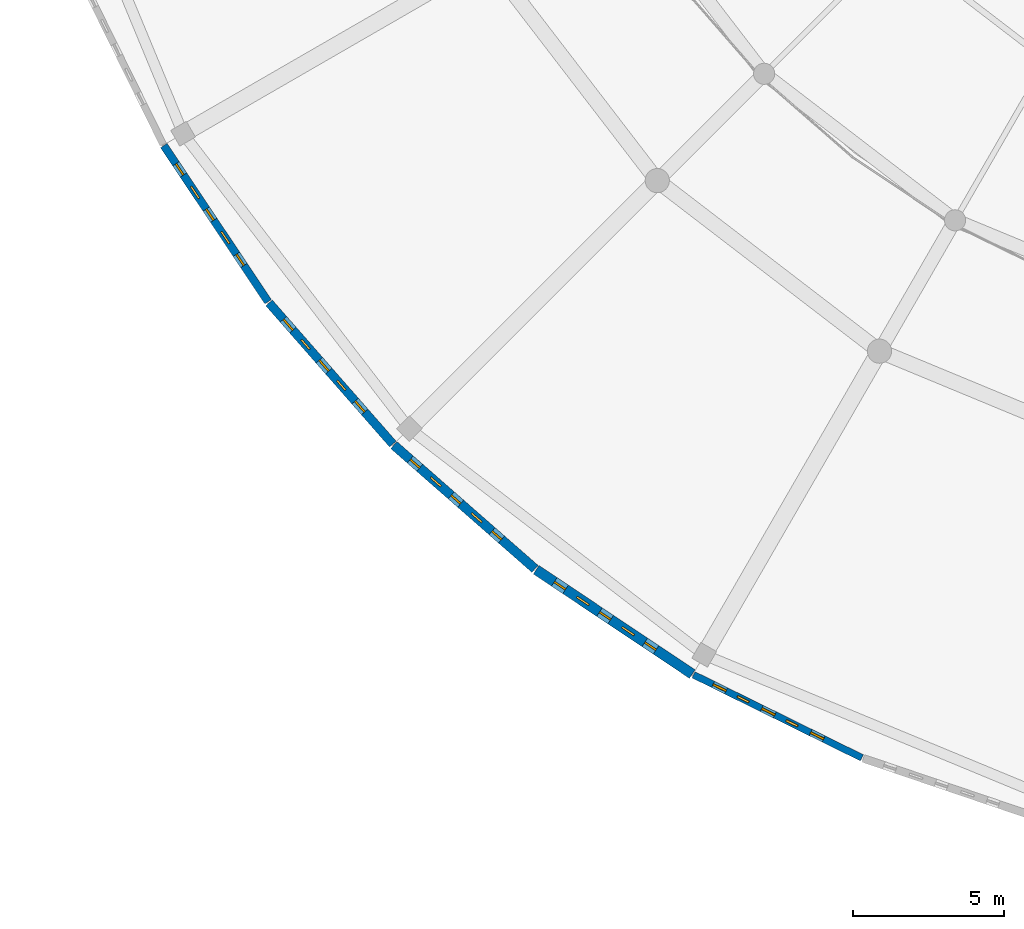
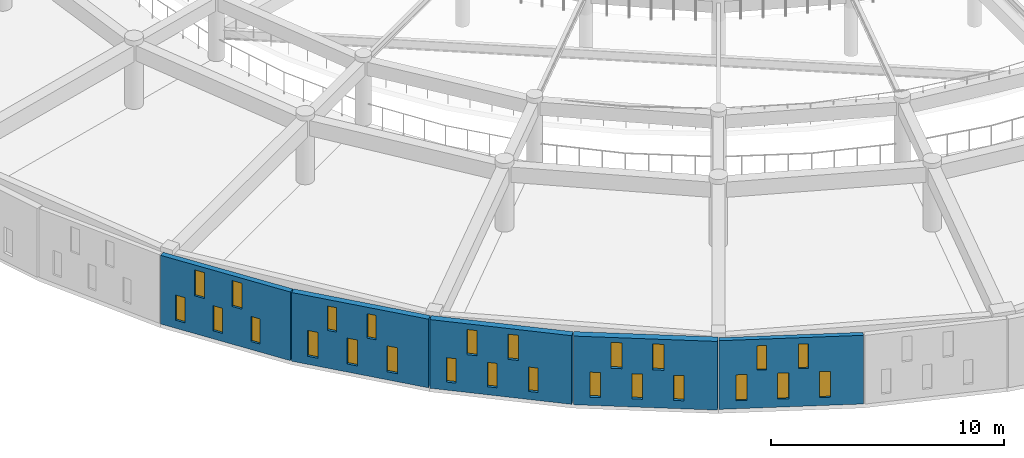
# One storey, part 104 of 155: 25 windows, 5 walls, 25 openings.
"""IFC4 building model written with IfcOpenShell, lengths in metres."""

from ifc_helpers import new_model, si_unit, direction, frame, frame_2d, origin, place, context, subcontext, project, spatial, rectangle, extrude, material, layer, layer_set, type_object, element, fill, save


model = new_model("IFC4")

# Units and contexts
model_context = context("Model", 3, precision=1e-05, world=origin(), true_north=direction((0.0, 1.0)))
body_context = subcontext(model_context, "Body", "Model", "MODEL_VIEW")
ifc_project = project(units=[si_unit("LENGTHUNIT", "METRE"), si_unit("AREAUNIT", "SQUARE_METRE"), si_unit("VOLUMEUNIT", "CUBIC_METRE"), si_unit("PLANEANGLEUNIT", "RADIAN"), si_unit("MASSUNIT", "GRAM", prefix="KILO")], contexts=[model_context])

# Site, building, storey
site_placement = place(None, origin())
site = spatial("IfcSite", under=ifc_project, at=site_placement, CompositionType="ELEMENT")
building_placement = place(site_placement, origin())
building = spatial("IfcBuilding", under=site, at=building_placement, Name="Larkveld Mobility Hub", CompositionType="ELEMENT")
storey_placement = place(building_placement, frame((0.0, 0.0, 8.39990234375)))
storey = spatial("IfcBuildingStorey", under=building, at=storey_placement, Name="L02", CompositionType="ELEMENT", Elevation=8.39990234375)

# Wall, openings, windows
ifc_material_1 = material(Name="Fired clay brick 25 MPa", Category="masonry")
ifc_layer_1 = layer(ifc_material_1, 0.22998046875, Name="Fired clay brick 25 MPa", Category="masonry")
ifc_layer_set_1 = layer_set([ifc_layer_1], Name="Fired clay brick 25 MPa")
wall_type_1 = type_object("IfcWallType", Name="WL-BRK-230", PredefinedType="USERDEFINED", material=ifc_layer_set_1)
wall_1_placement = place(storey_placement, frame((24.096923828125, 6.550048828125, 0.0), z_axis=(0.0, 0.0, 1.0), x_axis=(0.896858908126, -0.442316740488, 0.0)))
wall_1 = element("IfcWall", 1, at=wall_1_placement, inside=storey, type_object=wall_type_1, Name="Drum Woven Open-Bond Brick Chord L02-0123", ObjectType="PERFORATED BRICK SCREEN", PredefinedType="USERDEFINED", context=body_context, shape_type="SweptSolid", body=[
    extrude(rectangle(XDim=6.210693359375, YDim=0.22998046875, at=frame_2d((3.10546875, 0.0))), origin(), (0.0, 0.0, 1.0), 3.60009765625),
])
opening_1_placement = place(wall_1_placement, frame((0.719970703125, 0.0, 0.419921875)))
opening_1 = element("IfcOpeningElement", 2, at=opening_1_placement, cuts=wall_1, Name="Opening W03", PredefinedType="OPENING", context=body_context, shape_type="SweptSolid", body=[
    extrude(rectangle(XDim=0.47998046875, YDim=1.360107421875, at=frame_2d((0.239990234375, 0.68017578125))), frame((0.0, 0.125, 0.0), z_axis=(0.0, -1.0, 0.0), x_axis=(1.0, 0.0, 0.0)), (0.0, 0.0, 1.0), 0.25),
])
opening_2_placement = place(wall_1_placement, frame((2.52001953125, 0.0, 0.419921875)))
opening_2 = element("IfcOpeningElement", 3, at=opening_2_placement, cuts=wall_1, Name="Opening W03", PredefinedType="OPENING", context=body_context, shape_type="SweptSolid", body=[
    extrude(rectangle(XDim=0.47998046875, YDim=1.360107421875, at=frame_2d((0.239990234375, 0.68017578125))), frame((0.0, 0.125, 0.0), z_axis=(0.0, -1.0, 0.0), x_axis=(1.0, 0.0, 0.0)), (0.0, 0.0, 1.0), 0.25),
])
opening_3_placement = place(wall_1_placement, frame((4.320068359375, 0.0, 0.419921875)))
opening_3 = element("IfcOpeningElement", 4, at=opening_3_placement, cuts=wall_1, Name="Opening W03", PredefinedType="OPENING", context=body_context, shape_type="SweptSolid", body=[
    extrude(rectangle(XDim=0.47998046875, YDim=1.360107421875, at=frame_2d((0.239990234375, 0.68017578125))), frame((0.0, 0.125, 0.0), z_axis=(0.0, -1.0, 0.0), x_axis=(1.0, 0.0, 0.0)), (0.0, 0.0, 1.0), 0.25),
])
opening_4_placement = place(wall_1_placement, frame((1.6201171875, 0.0, 1.97998046875)))
opening_4 = element("IfcOpeningElement", 5, at=opening_4_placement, cuts=wall_1, Name="Opening W01", PredefinedType="OPENING", context=body_context, shape_type="SweptSolid", body=[
    extrude(rectangle(XDim=0.419921875, YDim=1.280029296875, at=frame_2d((0.2099609375, 0.64013671875))), frame((0.0, 0.125, 0.0), z_axis=(0.0, -1.0, 0.0), x_axis=(1.0, 0.0, 0.0)), (0.0, 0.0, 1.0), 0.25),
])
opening_5_placement = place(wall_1_placement, frame((3.419921875, 0.0, 1.97998046875)))
opening_5 = element("IfcOpeningElement", 6, at=opening_5_placement, cuts=wall_1, Name="Opening W01", PredefinedType="OPENING", context=body_context, shape_type="SweptSolid", body=[
    extrude(rectangle(XDim=0.419921875, YDim=1.280029296875, at=frame_2d((0.2099609375, 0.64013671875))), frame((0.0, 0.125, 0.0), z_axis=(0.0, -1.0, 0.0), x_axis=(1.0, 0.0, 0.0)), (0.0, 0.0, 1.0), 0.25),
])
ifc_material_2 = material(Name="Extruded aluminium ventilation grille", Category="aluminium")
window_type_1 = type_object("IfcWindowType", Name="WN-VENT-01", PartitioningType="SINGLE_PANEL", PredefinedType="WINDOW", material=ifc_material_2)
window_1_placement = place(opening_4_placement, origin())
window_1 = element("IfcWindow", 7, at=window_1_placement, inside=storey, type_object=window_type_1, Name="Window W01 (0604)", OverallHeight=1.280029296875, OverallWidth=0.419921875, PartitioningType="SINGLE_PANEL", PredefinedType="WINDOW", context=body_context, shape_type="SweptSolid", body=[
    extrude(rectangle(XDim=0.419921875, YDim=1.280029296875, at=frame_2d((0.2099609375, 0.64013671875))), frame((0.0, 0.030029296875, 0.0), z_axis=(0.0, -1.0, 0.0), x_axis=(1.0, 0.0, 0.0)), (0.0, 0.0, 1.0), 0.06005859375),
])
fill(opening_4, window_1)
window_2_placement = place(opening_5_placement, origin())
window_2 = element("IfcWindow", 8, at=window_2_placement, inside=storey, type_object=window_type_1, Name="Window W01 (0605)", OverallHeight=1.280029296875, OverallWidth=0.419921875, PartitioningType="SINGLE_PANEL", PredefinedType="WINDOW", context=body_context, shape_type="SweptSolid", body=[
    extrude(rectangle(XDim=0.419921875, YDim=1.280029296875, at=frame_2d((0.2099609375, 0.64013671875))), frame((0.0, 0.030029296875, 0.0), z_axis=(0.0, -1.0, 0.0), x_axis=(1.0, 0.0, 0.0)), (0.0, 0.0, 1.0), 0.06005859375),
])
fill(opening_5, window_2)
window_type_2 = type_object("IfcWindowType", Name="WN-VENT-03", PartitioningType="SINGLE_PANEL", PredefinedType="WINDOW", material=ifc_material_2)
window_3_placement = place(opening_1_placement, origin())
window_3 = element("IfcWindow", 9, at=window_3_placement, inside=storey, type_object=window_type_2, Name="Window W03 (0601)", OverallHeight=1.360107421875, OverallWidth=0.47998046875, PartitioningType="SINGLE_PANEL", PredefinedType="WINDOW", context=body_context, shape_type="SweptSolid", body=[
    extrude(rectangle(XDim=0.47998046875, YDim=1.360107421875, at=frame_2d((0.239990234375, 0.68017578125))), frame((0.0, 0.030029296875, 0.0), z_axis=(0.0, -1.0, 0.0), x_axis=(1.0, 0.0, 0.0)), (0.0, 0.0, 1.0), 0.06005859375),
])
fill(opening_1, window_3)
window_4_placement = place(opening_2_placement, origin())
window_4 = element("IfcWindow", 10, at=window_4_placement, inside=storey, type_object=window_type_2, Name="Window W03 (0602)", OverallHeight=1.360107421875, OverallWidth=0.47998046875, PartitioningType="SINGLE_PANEL", PredefinedType="WINDOW", context=body_context, shape_type="SweptSolid", body=[
    extrude(rectangle(XDim=0.47998046875, YDim=1.360107421875, at=frame_2d((0.239990234375, 0.68017578125))), frame((0.0, 0.030029296875, 0.0), z_axis=(0.0, -1.0, 0.0), x_axis=(1.0, 0.0, 0.0)), (0.0, 0.0, 1.0), 0.06005859375),
])
fill(opening_2, window_4)
window_5_placement = place(opening_3_placement, origin())
window_5 = element("IfcWindow", 11, at=window_5_placement, inside=storey, type_object=window_type_2, Name="Window W03 (0603)", OverallHeight=1.360107421875, OverallWidth=0.47998046875, PartitioningType="SINGLE_PANEL", PredefinedType="WINDOW", context=body_context, shape_type="SweptSolid", body=[
    extrude(rectangle(XDim=0.47998046875, YDim=1.360107421875, at=frame_2d((0.239990234375, 0.68017578125))), frame((0.0, 0.030029296875, 0.0), z_axis=(0.0, -1.0, 0.0), x_axis=(1.0, 0.0, 0.0)), (0.0, 0.0, 1.0), 0.06005859375),
])
fill(opening_3, window_5)

ifc_layer_2 = layer(ifc_material_1, 0.260009765625, Name="Fired clay brick 25 MPa", Category="masonry")
ifc_layer_set_2 = layer_set([ifc_layer_2], Name="Fired clay brick 25 MPa")
wall_type_2 = type_object("IfcWallType", Name="WL-BRK-260", PredefinedType="USERDEFINED", material=ifc_layer_set_2)
wall_2_placement = place(storey_placement, frame((6.573974609375, 24.054931640625, 0.0), z_axis=(0.0, 0.0, 1.0), x_axis=(0.555634193664, -0.831426871608, 0.0)))
wall_2 = element("IfcWall", 12, at=wall_2_placement, inside=storey, type_object=wall_type_2, Name="Drum Woven Open-Bond Brick Chord L02-0119", ObjectType="PERFORATED BRICK SCREEN", PredefinedType="USERDEFINED", context=body_context, shape_type="SweptSolid", body=[
    extrude(rectangle(XDim=6.210693359375, YDim=0.260009765625, at=frame_2d((3.10546875, 0.0))), origin(), (0.0, 0.0, 1.0), 3.60009765625),
])
opening_6_placement = place(wall_2_placement, frame((0.719970703125, 0.0, 0.419921875)))
opening_6 = element("IfcOpeningElement", 13, at=opening_6_placement, cuts=wall_2, Name="Opening W02", PredefinedType="OPENING", context=body_context, shape_type="SweptSolid", body=[
    extrude(rectangle(XDim=0.449951171875, YDim=1.320068359375, at=frame_2d((0.22509765625, 0.66015625))), frame((0.0, 0.14013671875, 0.0), z_axis=(0.0, -1.0, 0.0), x_axis=(1.0, 0.0, 0.0)), (0.0, 0.0, 1.0), 0.280029296875),
])
opening_7_placement = place(wall_2_placement, frame((2.52001953125, 0.0, 0.419921875)))
opening_7 = element("IfcOpeningElement", 14, at=opening_7_placement, cuts=wall_2, Name="Opening W02", PredefinedType="OPENING", context=body_context, shape_type="SweptSolid", body=[
    extrude(rectangle(XDim=0.449951171875, YDim=1.320068359375, at=frame_2d((0.22509765625, 0.66015625))), frame((0.0, 0.14013671875, 0.0), z_axis=(0.0, -1.0, 0.0), x_axis=(1.0, 0.0, 0.0)), (0.0, 0.0, 1.0), 0.280029296875),
])
opening_8_placement = place(wall_2_placement, frame((4.320068359375, 0.0, 0.419921875)))
opening_8 = element("IfcOpeningElement", 15, at=opening_8_placement, cuts=wall_2, Name="Opening W02", PredefinedType="OPENING", context=body_context, shape_type="SweptSolid", body=[
    extrude(rectangle(XDim=0.449951171875, YDim=1.320068359375, at=frame_2d((0.22509765625, 0.66015625))), frame((0.0, 0.14013671875, 0.0), z_axis=(0.0, -1.0, 0.0), x_axis=(1.0, 0.0, 0.0)), (0.0, 0.0, 1.0), 0.280029296875),
])
opening_9_placement = place(wall_2_placement, frame((1.6201171875, 0.0, 1.97998046875)))
opening_9 = element("IfcOpeningElement", 16, at=opening_9_placement, cuts=wall_2, Name="Opening W03", PredefinedType="OPENING", context=body_context, shape_type="SweptSolid", body=[
    extrude(rectangle(XDim=0.47998046875, YDim=1.360107421875, at=frame_2d((0.239990234375, 0.68017578125))), frame((0.0, 0.14013671875, 0.0), z_axis=(0.0, -1.0, 0.0), x_axis=(1.0, 0.0, 0.0)), (0.0, 0.0, 1.0), 0.280029296875),
])
opening_10_placement = place(wall_2_placement, frame((3.419921875, 0.0, 1.97998046875)))
opening_10 = element("IfcOpeningElement", 17, at=opening_10_placement, cuts=wall_2, Name="Opening W03", PredefinedType="OPENING", context=body_context, shape_type="SweptSolid", body=[
    extrude(rectangle(XDim=0.47998046875, YDim=1.360107421875, at=frame_2d((0.239990234375, 0.68017578125))), frame((0.0, 0.14013671875, 0.0), z_axis=(0.0, -1.0, 0.0), x_axis=(1.0, 0.0, 0.0)), (0.0, 0.0, 1.0), 0.280029296875),
])
window_type_3 = type_object("IfcWindowType", Name="WN-VENT-02", PartitioningType="SINGLE_PANEL", PredefinedType="WINDOW", material=ifc_material_2)
window_6_placement = place(opening_6_placement, origin())
window_6 = element("IfcWindow", 18, at=window_6_placement, inside=storey, type_object=window_type_3, Name="Window W02 (0581)", OverallHeight=1.320068359375, OverallWidth=0.449951171875, PartitioningType="SINGLE_PANEL", PredefinedType="WINDOW", context=body_context, shape_type="SweptSolid", body=[
    extrude(rectangle(XDim=0.449951171875, YDim=1.320068359375, at=frame_2d((0.22509765625, 0.66015625))), frame((0.0, 0.030029296875, 0.0), z_axis=(0.0, -1.0, 0.0), x_axis=(1.0, 0.0, 0.0)), (0.0, 0.0, 1.0), 0.06005859375),
])
fill(opening_6, window_6)
window_7_placement = place(opening_7_placement, origin())
window_7 = element("IfcWindow", 19, at=window_7_placement, inside=storey, type_object=window_type_3, Name="Window W02 (0582)", OverallHeight=1.320068359375, OverallWidth=0.449951171875, PartitioningType="SINGLE_PANEL", PredefinedType="WINDOW", context=body_context, shape_type="SweptSolid", body=[
    extrude(rectangle(XDim=0.449951171875, YDim=1.320068359375, at=frame_2d((0.22509765625, 0.66015625))), frame((0.0, 0.030029296875, 0.0), z_axis=(0.0, -1.0, 0.0), x_axis=(1.0, 0.0, 0.0)), (0.0, 0.0, 1.0), 0.06005859375),
])
fill(opening_7, window_7)
window_8_placement = place(opening_8_placement, origin())
window_8 = element("IfcWindow", 20, at=window_8_placement, inside=storey, type_object=window_type_3, Name="Window W02 (0583)", OverallHeight=1.320068359375, OverallWidth=0.449951171875, PartitioningType="SINGLE_PANEL", PredefinedType="WINDOW", context=body_context, shape_type="SweptSolid", body=[
    extrude(rectangle(XDim=0.449951171875, YDim=1.320068359375, at=frame_2d((0.22509765625, 0.66015625))), frame((0.0, 0.030029296875, 0.0), z_axis=(0.0, -1.0, 0.0), x_axis=(1.0, 0.0, 0.0)), (0.0, 0.0, 1.0), 0.06005859375),
])
fill(opening_8, window_8)
window_9_placement = place(opening_9_placement, origin())
window_9 = element("IfcWindow", 21, at=window_9_placement, inside=storey, type_object=window_type_2, Name="Window W03 (0584)", OverallHeight=1.360107421875, OverallWidth=0.47998046875, PartitioningType="SINGLE_PANEL", PredefinedType="WINDOW", context=body_context, shape_type="SweptSolid", body=[
    extrude(rectangle(XDim=0.47998046875, YDim=1.360107421875, at=frame_2d((0.239990234375, 0.68017578125))), frame((0.0, 0.030029296875, 0.0), z_axis=(0.0, -1.0, 0.0), x_axis=(1.0, 0.0, 0.0)), (0.0, 0.0, 1.0), 0.06005859375),
])
fill(opening_9, window_9)
window_10_placement = place(opening_10_placement, origin())
window_10 = element("IfcWindow", 22, at=window_10_placement, inside=storey, type_object=window_type_2, Name="Window W03 (0585)", OverallHeight=1.360107421875, OverallWidth=0.47998046875, PartitioningType="SINGLE_PANEL", PredefinedType="WINDOW", context=body_context, shape_type="SweptSolid", body=[
    extrude(rectangle(XDim=0.47998046875, YDim=1.360107421875, at=frame_2d((0.239990234375, 0.68017578125))), frame((0.0, 0.030029296875, 0.0), z_axis=(0.0, -1.0, 0.0), x_axis=(1.0, 0.0, 0.0)), (0.0, 0.0, 1.0), 0.06005859375),
])
fill(opening_10, window_10)

ifc_layer_3 = layer(ifc_material_1, 0.2900390625, Name="Fired clay brick 25 MPa", Category="masonry")
ifc_layer_set_3 = layer_set([ifc_layer_3], Name="Fired clay brick 25 MPa")
wall_type_3 = type_object("IfcWallType", Name="WL-BRK-290", PredefinedType="USERDEFINED", material=ifc_layer_set_3)
wall_3_placement = place(storey_placement, frame((10.053955078125, 18.85302734375, 0.0), z_axis=(0.0, 0.0, 1.0), x_axis=(0.65930569124, -0.751874993266, 0.0)))
wall_3 = element("IfcWall", 23, at=wall_3_placement, inside=storey, type_object=wall_type_3, Name="Drum Woven Open-Bond Brick Chord L02-0120", ObjectType="PERFORATED BRICK SCREEN", PredefinedType="USERDEFINED", context=body_context, shape_type="SweptSolid", body=[
    extrude(rectangle(XDim=6.2109375, YDim=0.2900390625, at=frame_2d((3.10546875, 0.0))), origin(), (0.0, 0.0, 1.0), 3.60009765625),
])
opening_11_placement = place(wall_3_placement, frame((0.719970703125, 0.0, 0.419921875)))
opening_11 = element("IfcOpeningElement", 24, at=opening_11_placement, cuts=wall_3, Name="Opening W03", PredefinedType="OPENING", context=body_context, shape_type="SweptSolid", body=[
    extrude(rectangle(XDim=0.47998046875, YDim=1.360107421875, at=frame_2d((0.239990234375, 0.68017578125))), frame((0.0, 0.155029296875, 0.0), z_axis=(0.0, -1.0, 0.0), x_axis=(1.0, 0.0, 0.0)), (0.0, 0.0, 1.0), 0.31005859375),
])
opening_12_placement = place(wall_3_placement, frame((2.52001953125, 0.0, 0.419921875)))
opening_12 = element("IfcOpeningElement", 25, at=opening_12_placement, cuts=wall_3, Name="Opening W03", PredefinedType="OPENING", context=body_context, shape_type="SweptSolid", body=[
    extrude(rectangle(XDim=0.47998046875, YDim=1.360107421875, at=frame_2d((0.239990234375, 0.68017578125))), frame((0.0, 0.155029296875, 0.0), z_axis=(0.0, -1.0, 0.0), x_axis=(1.0, 0.0, 0.0)), (0.0, 0.0, 1.0), 0.31005859375),
])
opening_13_placement = place(wall_3_placement, frame((4.320068359375, 0.0, 0.419921875)))
opening_13 = element("IfcOpeningElement", 26, at=opening_13_placement, cuts=wall_3, Name="Opening W03", PredefinedType="OPENING", context=body_context, shape_type="SweptSolid", body=[
    extrude(rectangle(XDim=0.47998046875, YDim=1.360107421875, at=frame_2d((0.239990234375, 0.68017578125))), frame((0.0, 0.155029296875, 0.0), z_axis=(0.0, -1.0, 0.0), x_axis=(1.0, 0.0, 0.0)), (0.0, 0.0, 1.0), 0.31005859375),
])
opening_14_placement = place(wall_3_placement, frame((1.6201171875, 0.0, 1.97998046875)))
opening_14 = element("IfcOpeningElement", 27, at=opening_14_placement, cuts=wall_3, Name="Opening W01", PredefinedType="OPENING", context=body_context, shape_type="SweptSolid", body=[
    extrude(rectangle(XDim=0.419921875, YDim=1.280029296875, at=frame_2d((0.2099609375, 0.64013671875))), frame((0.0, 0.155029296875, 0.0), z_axis=(0.0, -1.0, 0.0), x_axis=(1.0, 0.0, 0.0)), (0.0, 0.0, 1.0), 0.31005859375),
])
opening_15_placement = place(wall_3_placement, frame((3.419921875, 0.0, 1.97998046875)))
opening_15 = element("IfcOpeningElement", 28, at=opening_15_placement, cuts=wall_3, Name="Opening W01", PredefinedType="OPENING", context=body_context, shape_type="SweptSolid", body=[
    extrude(rectangle(XDim=0.419921875, YDim=1.280029296875, at=frame_2d((0.2099609375, 0.64013671875))), frame((0.0, 0.155029296875, 0.0), z_axis=(0.0, -1.0, 0.0), x_axis=(1.0, 0.0, 0.0)), (0.0, 0.0, 1.0), 0.31005859375),
])
window_11_placement = place(opening_14_placement, origin())
window_11 = element("IfcWindow", 29, at=window_11_placement, inside=storey, type_object=window_type_1, Name="Window W01 (0589)", OverallHeight=1.280029296875, OverallWidth=0.419921875, PartitioningType="SINGLE_PANEL", PredefinedType="WINDOW", context=body_context, shape_type="SweptSolid", body=[
    extrude(rectangle(XDim=0.419921875, YDim=1.280029296875, at=frame_2d((0.2099609375, 0.64013671875))), frame((0.0, 0.030029296875, 0.0), z_axis=(0.0, -1.0, 0.0), x_axis=(1.0, 0.0, 0.0)), (0.0, 0.0, 1.0), 0.06005859375),
])
fill(opening_14, window_11)
window_12_placement = place(opening_15_placement, origin())
window_12 = element("IfcWindow", 30, at=window_12_placement, inside=storey, type_object=window_type_1, Name="Window W01 (0590)", OverallHeight=1.280029296875, OverallWidth=0.419921875, PartitioningType="SINGLE_PANEL", PredefinedType="WINDOW", context=body_context, shape_type="SweptSolid", body=[
    extrude(rectangle(XDim=0.419921875, YDim=1.280029296875, at=frame_2d((0.2099609375, 0.64013671875))), frame((0.0, 0.030029296875, 0.0), z_axis=(0.0, -1.0, 0.0), x_axis=(1.0, 0.0, 0.0)), (0.0, 0.0, 1.0), 0.06005859375),
])
fill(opening_15, window_12)
window_13_placement = place(opening_11_placement, origin())
window_13 = element("IfcWindow", 31, at=window_13_placement, inside=storey, type_object=window_type_2, Name="Window W03 (0586)", OverallHeight=1.360107421875, OverallWidth=0.47998046875, PartitioningType="SINGLE_PANEL", PredefinedType="WINDOW", context=body_context, shape_type="SweptSolid", body=[
    extrude(rectangle(XDim=0.47998046875, YDim=1.360107421875, at=frame_2d((0.239990234375, 0.68017578125))), frame((0.0, 0.030029296875, 0.0), z_axis=(0.0, -1.0, 0.0), x_axis=(1.0, 0.0, 0.0)), (0.0, 0.0, 1.0), 0.06005859375),
])
fill(opening_11, window_13)
window_14_placement = place(opening_12_placement, origin())
window_14 = element("IfcWindow", 32, at=window_14_placement, inside=storey, type_object=window_type_2, Name="Window W03 (0587)", OverallHeight=1.360107421875, OverallWidth=0.47998046875, PartitioningType="SINGLE_PANEL", PredefinedType="WINDOW", context=body_context, shape_type="SweptSolid", body=[
    extrude(rectangle(XDim=0.47998046875, YDim=1.360107421875, at=frame_2d((0.239990234375, 0.68017578125))), frame((0.0, 0.030029296875, 0.0), z_axis=(0.0, -1.0, 0.0), x_axis=(1.0, 0.0, 0.0)), (0.0, 0.0, 1.0), 0.06005859375),
])
fill(opening_12, window_14)
window_15_placement = place(opening_13_placement, origin())
window_15 = element("IfcWindow", 33, at=window_15_placement, inside=storey, type_object=window_type_2, Name="Window W03 (0588)", OverallHeight=1.360107421875, OverallWidth=0.47998046875, PartitioningType="SINGLE_PANEL", PredefinedType="WINDOW", context=body_context, shape_type="SweptSolid", body=[
    extrude(rectangle(XDim=0.47998046875, YDim=1.360107421875, at=frame_2d((0.239990234375, 0.68017578125))), frame((0.0, 0.030029296875, 0.0), z_axis=(0.0, -1.0, 0.0), x_axis=(1.0, 0.0, 0.0)), (0.0, 0.0, 1.0), 0.06005859375),
])
fill(opening_13, window_15)

ifc_layer_4 = layer(ifc_material_1, 0.31005859375, Name="Fired clay brick 25 MPa", Category="masonry")
ifc_layer_set_4 = layer_set([ifc_layer_4], Name="Fired clay brick 25 MPa")
wall_type_4 = type_object("IfcWallType", Name="WL-BRK-310", PredefinedType="USERDEFINED", material=ifc_layer_set_4)
wall_4_placement = place(storey_placement, frame((14.18310546875, 14.14892578125, 0.0), z_axis=(0.0, 0.0, 1.0), x_axis=(0.751874993266, -0.65930569124, 0.0)))
wall_4 = element("IfcWall", 34, at=wall_4_placement, inside=storey, type_object=wall_type_4, Name="Drum Woven Open-Bond Brick Chord L02-0121", ObjectType="PERFORATED BRICK SCREEN", PredefinedType="USERDEFINED", context=body_context, shape_type="SweptSolid", body=[
    extrude(rectangle(XDim=6.2109375, YDim=0.31005859375, at=frame_2d((3.10546875, 0.0))), origin(), (0.0, 0.0, 1.0), 3.60009765625),
])
opening_16_placement = place(wall_4_placement, frame((0.719970703125, 0.0, 0.419921875)))
opening_16 = element("IfcOpeningElement", 35, at=opening_16_placement, cuts=wall_4, Name="Opening W01", PredefinedType="OPENING", context=body_context, shape_type="SweptSolid", body=[
    extrude(rectangle(XDim=0.419921875, YDim=1.280029296875, at=frame_2d((0.2099609375, 0.64013671875))), frame((0.0, 0.1650390625, 0.0), z_axis=(0.0, -1.0, 0.0), x_axis=(1.0, 0.0, 0.0)), (0.0, 0.0, 1.0), 0.330078125),
])
opening_17_placement = place(wall_4_placement, frame((2.52001953125, 0.0, 0.419921875)))
opening_17 = element("IfcOpeningElement", 36, at=opening_17_placement, cuts=wall_4, Name="Opening W01", PredefinedType="OPENING", context=body_context, shape_type="SweptSolid", body=[
    extrude(rectangle(XDim=0.419921875, YDim=1.280029296875, at=frame_2d((0.2099609375, 0.64013671875))), frame((0.0, 0.1650390625, 0.0), z_axis=(0.0, -1.0, 0.0), x_axis=(1.0, 0.0, 0.0)), (0.0, 0.0, 1.0), 0.330078125),
])
opening_18_placement = place(wall_4_placement, frame((4.320068359375, 0.0, 0.419921875)))
opening_18 = element("IfcOpeningElement", 37, at=opening_18_placement, cuts=wall_4, Name="Opening W01", PredefinedType="OPENING", context=body_context, shape_type="SweptSolid", body=[
    extrude(rectangle(XDim=0.419921875, YDim=1.280029296875, at=frame_2d((0.2099609375, 0.64013671875))), frame((0.0, 0.1650390625, 0.0), z_axis=(0.0, -1.0, 0.0), x_axis=(1.0, 0.0, 0.0)), (0.0, 0.0, 1.0), 0.330078125),
])
opening_19_placement = place(wall_4_placement, frame((1.6201171875, 0.0, 1.97998046875)))
opening_19 = element("IfcOpeningElement", 38, at=opening_19_placement, cuts=wall_4, Name="Opening W02", PredefinedType="OPENING", context=body_context, shape_type="SweptSolid", body=[
    extrude(rectangle(XDim=0.449951171875, YDim=1.320068359375, at=frame_2d((0.22509765625, 0.66015625))), frame((0.0, 0.1650390625, 0.0), z_axis=(0.0, -1.0, 0.0), x_axis=(1.0, 0.0, 0.0)), (0.0, 0.0, 1.0), 0.330078125),
])
opening_20_placement = place(wall_4_placement, frame((3.419921875, 0.0, 1.97998046875)))
opening_20 = element("IfcOpeningElement", 39, at=opening_20_placement, cuts=wall_4, Name="Opening W02", PredefinedType="OPENING", context=body_context, shape_type="SweptSolid", body=[
    extrude(rectangle(XDim=0.449951171875, YDim=1.320068359375, at=frame_2d((0.22509765625, 0.66015625))), frame((0.0, 0.1650390625, 0.0), z_axis=(0.0, -1.0, 0.0), x_axis=(1.0, 0.0, 0.0)), (0.0, 0.0, 1.0), 0.330078125),
])
window_16_placement = place(opening_16_placement, origin())
window_16 = element("IfcWindow", 40, at=window_16_placement, inside=storey, type_object=window_type_1, Name="Window W01 (0591)", OverallHeight=1.280029296875, OverallWidth=0.419921875, PartitioningType="SINGLE_PANEL", PredefinedType="WINDOW", context=body_context, shape_type="SweptSolid", body=[
    extrude(rectangle(XDim=0.419921875, YDim=1.280029296875, at=frame_2d((0.2099609375, 0.64013671875))), frame((0.0, 0.030029296875, 0.0), z_axis=(0.0, -1.0, 0.0), x_axis=(1.0, 0.0, 0.0)), (0.0, 0.0, 1.0), 0.06005859375),
])
fill(opening_16, window_16)
window_17_placement = place(opening_17_placement, origin())
window_17 = element("IfcWindow", 41, at=window_17_placement, inside=storey, type_object=window_type_1, Name="Window W01 (0592)", OverallHeight=1.280029296875, OverallWidth=0.419921875, PartitioningType="SINGLE_PANEL", PredefinedType="WINDOW", context=body_context, shape_type="SweptSolid", body=[
    extrude(rectangle(XDim=0.419921875, YDim=1.280029296875, at=frame_2d((0.2099609375, 0.64013671875))), frame((0.0, 0.030029296875, 0.0), z_axis=(0.0, -1.0, 0.0), x_axis=(1.0, 0.0, 0.0)), (0.0, 0.0, 1.0), 0.06005859375),
])
fill(opening_17, window_17)
window_18_placement = place(opening_18_placement, origin())
window_18 = element("IfcWindow", 42, at=window_18_placement, inside=storey, type_object=window_type_1, Name="Window W01 (0593)", OverallHeight=1.280029296875, OverallWidth=0.419921875, PartitioningType="SINGLE_PANEL", PredefinedType="WINDOW", context=body_context, shape_type="SweptSolid", body=[
    extrude(rectangle(XDim=0.419921875, YDim=1.280029296875, at=frame_2d((0.2099609375, 0.64013671875))), frame((0.0, 0.030029296875, 0.0), z_axis=(0.0, -1.0, 0.0), x_axis=(1.0, 0.0, 0.0)), (0.0, 0.0, 1.0), 0.06005859375),
])
fill(opening_18, window_18)
window_19_placement = place(opening_19_placement, origin())
window_19 = element("IfcWindow", 43, at=window_19_placement, inside=storey, type_object=window_type_3, Name="Window W02 (0594)", OverallHeight=1.320068359375, OverallWidth=0.449951171875, PartitioningType="SINGLE_PANEL", PredefinedType="WINDOW", context=body_context, shape_type="SweptSolid", body=[
    extrude(rectangle(XDim=0.449951171875, YDim=1.320068359375, at=frame_2d((0.22509765625, 0.66015625))), frame((0.0, 0.030029296875, 0.0), z_axis=(0.0, -1.0, 0.0), x_axis=(1.0, 0.0, 0.0)), (0.0, 0.0, 1.0), 0.06005859375),
])
fill(opening_19, window_19)
window_20_placement = place(opening_20_placement, origin())
window_20 = element("IfcWindow", 44, at=window_20_placement, inside=storey, type_object=window_type_3, Name="Window W02 (0595)", OverallHeight=1.320068359375, OverallWidth=0.449951171875, PartitioningType="SINGLE_PANEL", PredefinedType="WINDOW", context=body_context, shape_type="SweptSolid", body=[
    extrude(rectangle(XDim=0.449951171875, YDim=1.320068359375, at=frame_2d((0.22509765625, 0.66015625))), frame((0.0, 0.030029296875, 0.0), z_axis=(0.0, -1.0, 0.0), x_axis=(1.0, 0.0, 0.0)), (0.0, 0.0, 1.0), 0.06005859375),
])
fill(opening_20, window_20)

ifc_layer_5 = layer(ifc_material_1, 0.340087890625, Name="Fired clay brick 25 MPa", Category="masonry")
ifc_layer_set_5 = layer_set([ifc_layer_5], Name="Fired clay brick 25 MPa")
wall_type_5 = type_object("IfcWallType", Name="WL-BRK-340", PredefinedType="USERDEFINED", material=ifc_layer_set_5)
wall_5_placement = place(storey_placement, frame((18.89111328125, 10.02490234375, 0.0), z_axis=(0.0, 0.0, 1.0), x_axis=(0.831426871608, -0.555634193664, 0.0)))
wall_5 = element("IfcWall", 45, at=wall_5_placement, inside=storey, type_object=wall_type_5, Name="Drum Woven Open-Bond Brick Chord L02-0122", ObjectType="PERFORATED BRICK SCREEN", PredefinedType="USERDEFINED", context=body_context, shape_type="SweptSolid", body=[
    extrude(rectangle(XDim=6.210693359375, YDim=0.340087890625, at=frame_2d((3.10546875, 0.0))), origin(), (0.0, 0.0, 1.0), 3.60009765625),
])
opening_21_placement = place(wall_5_placement, frame((0.719970703125, 0.0, 0.419921875)))
opening_21 = element("IfcOpeningElement", 46, at=opening_21_placement, cuts=wall_5, Name="Opening W02", PredefinedType="OPENING", context=body_context, shape_type="SweptSolid", body=[
    extrude(rectangle(XDim=0.449951171875, YDim=1.320068359375, at=frame_2d((0.22509765625, 0.66015625))), frame((0.0, 0.18017578125, 0.0), z_axis=(0.0, -1.0, 0.0), x_axis=(1.0, 0.0, 0.0)), (0.0, 0.0, 1.0), 0.360107421875),
])
opening_22_placement = place(wall_5_placement, frame((2.52001953125, 0.0, 0.419921875)))
opening_22 = element("IfcOpeningElement", 47, at=opening_22_placement, cuts=wall_5, Name="Opening W02", PredefinedType="OPENING", context=body_context, shape_type="SweptSolid", body=[
    extrude(rectangle(XDim=0.449951171875, YDim=1.320068359375, at=frame_2d((0.22509765625, 0.66015625))), frame((0.0, 0.18017578125, 0.0), z_axis=(0.0, -1.0, 0.0), x_axis=(1.0, 0.0, 0.0)), (0.0, 0.0, 1.0), 0.360107421875),
])
opening_23_placement = place(wall_5_placement, frame((4.320068359375, 0.0, 0.419921875)))
opening_23 = element("IfcOpeningElement", 48, at=opening_23_placement, cuts=wall_5, Name="Opening W02", PredefinedType="OPENING", context=body_context, shape_type="SweptSolid", body=[
    extrude(rectangle(XDim=0.449951171875, YDim=1.320068359375, at=frame_2d((0.22509765625, 0.66015625))), frame((0.0, 0.18017578125, 0.0), z_axis=(0.0, -1.0, 0.0), x_axis=(1.0, 0.0, 0.0)), (0.0, 0.0, 1.0), 0.360107421875),
])
opening_24_placement = place(wall_5_placement, frame((1.6201171875, 0.0, 1.97998046875)))
opening_24 = element("IfcOpeningElement", 49, at=opening_24_placement, cuts=wall_5, Name="Opening W03", PredefinedType="OPENING", context=body_context, shape_type="SweptSolid", body=[
    extrude(rectangle(XDim=0.47998046875, YDim=1.360107421875, at=frame_2d((0.239990234375, 0.68017578125))), frame((0.0, 0.18017578125, 0.0), z_axis=(0.0, -1.0, 0.0), x_axis=(1.0, 0.0, 0.0)), (0.0, 0.0, 1.0), 0.360107421875),
])
opening_25_placement = place(wall_5_placement, frame((3.419921875, 0.0, 1.97998046875)))
opening_25 = element("IfcOpeningElement", 50, at=opening_25_placement, cuts=wall_5, Name="Opening W03", PredefinedType="OPENING", context=body_context, shape_type="SweptSolid", body=[
    extrude(rectangle(XDim=0.47998046875, YDim=1.360107421875, at=frame_2d((0.239990234375, 0.68017578125))), frame((0.0, 0.18017578125, 0.0), z_axis=(0.0, -1.0, 0.0), x_axis=(1.0, 0.0, 0.0)), (0.0, 0.0, 1.0), 0.360107421875),
])
window_21_placement = place(opening_21_placement, origin())
window_21 = element("IfcWindow", 51, at=window_21_placement, inside=storey, type_object=window_type_3, Name="Window W02 (0596)", OverallHeight=1.320068359375, OverallWidth=0.449951171875, PartitioningType="SINGLE_PANEL", PredefinedType="WINDOW", context=body_context, shape_type="SweptSolid", body=[
    extrude(rectangle(XDim=0.449951171875, YDim=1.320068359375, at=frame_2d((0.22509765625, 0.66015625))), frame((0.0, 0.030029296875, 0.0), z_axis=(0.0, -1.0, 0.0), x_axis=(1.0, 0.0, 0.0)), (0.0, 0.0, 1.0), 0.06005859375),
])
fill(opening_21, window_21)
window_22_placement = place(opening_22_placement, origin())
window_22 = element("IfcWindow", 52, at=window_22_placement, inside=storey, type_object=window_type_3, Name="Window W02 (0597)", OverallHeight=1.320068359375, OverallWidth=0.449951171875, PartitioningType="SINGLE_PANEL", PredefinedType="WINDOW", context=body_context, shape_type="SweptSolid", body=[
    extrude(rectangle(XDim=0.449951171875, YDim=1.320068359375, at=frame_2d((0.22509765625, 0.66015625))), frame((0.0, 0.030029296875, 0.0), z_axis=(0.0, -1.0, 0.0), x_axis=(1.0, 0.0, 0.0)), (0.0, 0.0, 1.0), 0.06005859375),
])
fill(opening_22, window_22)
window_23_placement = place(opening_23_placement, origin())
window_23 = element("IfcWindow", 53, at=window_23_placement, inside=storey, type_object=window_type_3, Name="Window W02 (0598)", OverallHeight=1.320068359375, OverallWidth=0.449951171875, PartitioningType="SINGLE_PANEL", PredefinedType="WINDOW", context=body_context, shape_type="SweptSolid", body=[
    extrude(rectangle(XDim=0.449951171875, YDim=1.320068359375, at=frame_2d((0.22509765625, 0.66015625))), frame((0.0, 0.030029296875, 0.0), z_axis=(0.0, -1.0, 0.0), x_axis=(1.0, 0.0, 0.0)), (0.0, 0.0, 1.0), 0.06005859375),
])
fill(opening_23, window_23)
window_24_placement = place(opening_24_placement, origin())
window_24 = element("IfcWindow", 54, at=window_24_placement, inside=storey, type_object=window_type_2, Name="Window W03 (0599)", OverallHeight=1.360107421875, OverallWidth=0.47998046875, PartitioningType="SINGLE_PANEL", PredefinedType="WINDOW", context=body_context, shape_type="SweptSolid", body=[
    extrude(rectangle(XDim=0.47998046875, YDim=1.360107421875, at=frame_2d((0.239990234375, 0.68017578125))), frame((0.0, 0.030029296875, 0.0), z_axis=(0.0, -1.0, 0.0), x_axis=(1.0, 0.0, 0.0)), (0.0, 0.0, 1.0), 0.06005859375),
])
fill(opening_24, window_24)
window_25_placement = place(opening_25_placement, origin())
window_25 = element("IfcWindow", 55, at=window_25_placement, inside=storey, type_object=window_type_2, Name="Window W03 (0600)", OverallHeight=1.360107421875, OverallWidth=0.47998046875, PartitioningType="SINGLE_PANEL", PredefinedType="WINDOW", context=body_context, shape_type="SweptSolid", body=[
    extrude(rectangle(XDim=0.47998046875, YDim=1.360107421875, at=frame_2d((0.239990234375, 0.68017578125))), frame((0.0, 0.030029296875, 0.0), z_axis=(0.0, -1.0, 0.0), x_axis=(1.0, 0.0, 0.0)), (0.0, 0.0, 1.0), 0.06005859375),
])
fill(opening_25, window_25)

save(model, "model.ifc")
